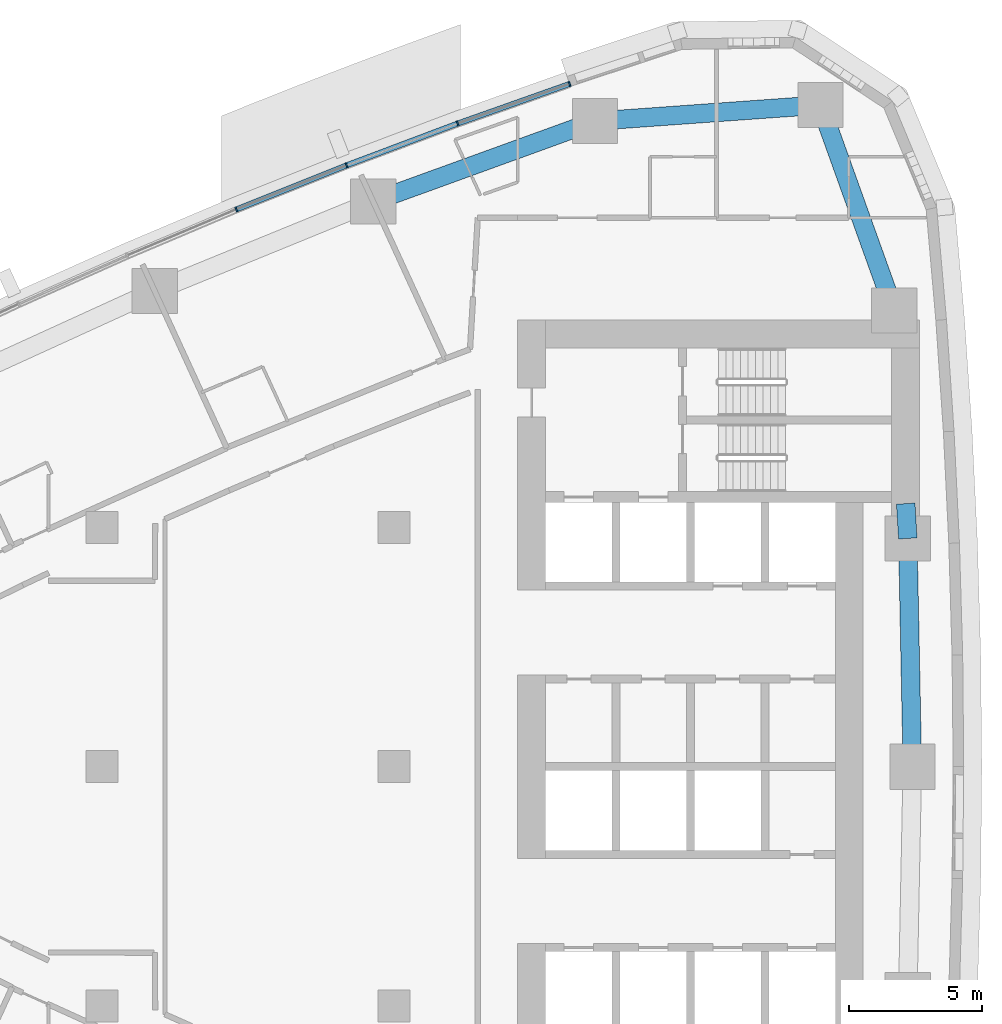
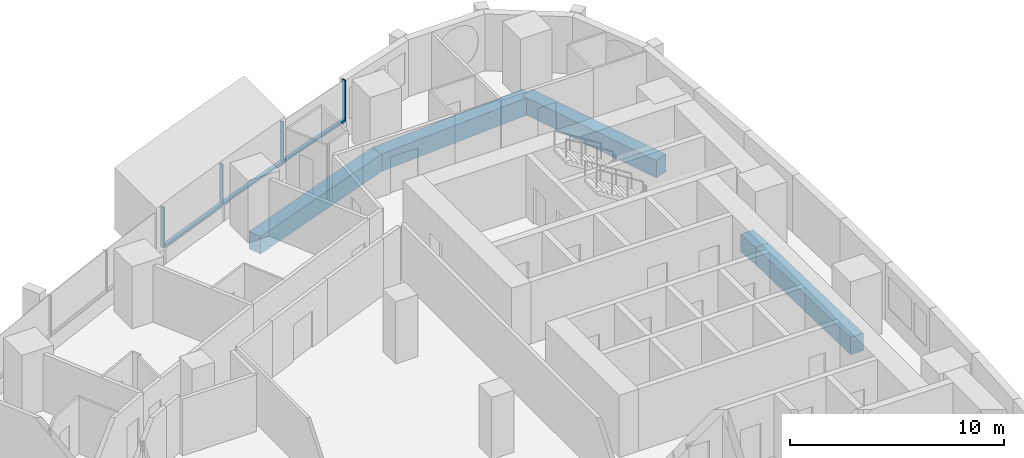
# One storey, part 6 of 17: 7 members, 5 beams, 2 elements without a shape of their own.
"""IFC4 building model written with IfcOpenShell, lengths in metres."""

from ifc_helpers import new_model, si_unit, direction, frame, origin, origin_2d, place, context, subcontext, project, spatial, rectangle, extrude, material, layer, layer_set, material_profile, profile_set, type_object, element, aggregate, save


model = new_model("IFC4")

# Units and contexts
model_context = context("Model", 3, precision=1e-05, world=origin(), true_north=direction((0.0, 1.0)))
body_context = subcontext(model_context, "Body", "Model", "MODEL_VIEW")
ifc_project = project(units=[si_unit("LENGTHUNIT", "METRE"), si_unit("AREAUNIT", "SQUARE_METRE"), si_unit("VOLUMEUNIT", "CUBIC_METRE"), si_unit("PLANEANGLEUNIT", "RADIAN"), si_unit("MASSUNIT", "GRAM", prefix="KILO")], contexts=[model_context])

# Site, building, storey
site_placement = place(None, origin())
site = spatial("IfcSite", under=ifc_project, at=site_placement, CompositionType="ELEMENT")
building_placement = place(site_placement, origin())
building = spatial("IfcBuilding", under=site, at=building_placement, Name="Ostrand Prow Hotel Tower", CompositionType="ELEMENT")
storey_placement = place(building_placement, frame((0.0, 0.0, 113.300048828125)))
storey = spatial("IfcBuildingStorey", under=building, at=storey_placement, Name="L27", CompositionType="ELEMENT", Elevation=113.300048828125)

# Beams
ifc_material_1 = material(Name="Concrete C80/95", Category="concrete")
ifc_material_profile_1 = material_profile(ifc_material_1, rectangle(XDim=0.699951171875, YDim=1.0, at=origin_2d()), Name="RC 700x1000")
ifc_profile_set_1 = profile_set([ifc_material_profile_1], Name="Concrete C80/95")
beam_type = type_object("IfcBeamType", Name="Edge beam 700x1000 C80/95", PredefinedType="SPANDREL", material=ifc_profile_set_1)
beam_1_placement = place(storey_placement, frame((64.5, 0.0, -0.800048828125), z_axis=(-0.019922705812, 0.9998015232, 0.0), x_axis=(-0.9998015232, -0.019922705812, 0.0)))
element("IfcBeam", 1, at=beam_1_placement, inside=storey, type_object=beam_type, Name="Edge beam B3-B4", PredefinedType="SPANDREL", context=body_context, shape_type="SweptSolid", body=[
    extrude(rectangle(XDim=0.699951171875, YDim=1.0, at=origin_2d()), origin(), (0.0, 0.0, 1.0), 8.59033203125),
])
beam_2_placement = place(storey_placement, frame((64.328857421875, 8.588623046875, -0.800048828125), z_axis=(-0.059658953766, 0.998218818314, 0.0), x_axis=(-0.998218818314, -0.059658953766, 0.0)))
element("IfcBeam", 2, at=beam_2_placement, inside=storey, type_object=beam_type, Name="Edge beam B4-B5", PredefinedType="SPANDREL", context=body_context, shape_type="SweptSolid", body=[
    extrude(rectangle(XDim=0.699951171875, YDim=1.0, at=origin_2d()), origin(), (0.0, 0.0, 1.0), 1.313720703125),
])
beam_3_placement = place(storey_placement, frame((63.815673828125, 17.16357421875, -0.800048828125), z_axis=(-0.337815484063, 0.941212355809, 0.0), x_axis=(-0.941212355809, -0.337815484063, 0.0)))
element("IfcBeam", 3, at=beam_3_placement, inside=storey, type_object=beam_type, Name="Edge beam B5-NE", PredefinedType="SPANDREL", context=body_context, shape_type="SweptSolid", body=[
    extrude(rectangle(XDim=0.699951171875, YDim=1.0, at=origin_2d()), origin(), (0.0, 0.0, 1.0), 8.21630859375),
])
beam_4_placement = place(storey_placement, frame((61.0400390625, 24.89697265625, -0.800048828125), z_axis=(-0.99747195063, -0.071061295414, 0.0), x_axis=(0.071061295414, -0.99747195063, 0.0)))
element("IfcBeam", 4, at=beam_4_placement, inside=storey, type_object=beam_type, Name="Edge beam NE-N1", PredefinedType="SPANDREL", context=body_context, shape_type="SweptSolid", body=[
    extrude(rectangle(XDim=0.699951171875, YDim=1.0, at=origin_2d()), origin(), (0.0, 0.0, 1.0), 8.499755859375),
])
beam_5_placement = place(storey_placement, frame((52.561767578125, 24.29296875, -0.800048828125), z_axis=(-0.940062739321, -0.341001533927, 0.0), x_axis=(0.341001533927, -0.940062739321, 0.0)))
element("IfcBeam", 5, at=beam_5_placement, inside=storey, type_object=beam_type, Name="Edge beam N1-N2", PredefinedType="SPANDREL", context=body_context, shape_type="SweptSolid", body=[
    extrude(rectangle(XDim=0.699951171875, YDim=1.0, at=origin_2d()), origin(), (0.0, 0.0, 1.0), 8.883544921875),
])

# Curtain wall, members
ifc_material_2 = material(Name="Insulated glass in bronze anodised frame", Category="glass")
ifc_layer = layer(ifc_material_2, 0.199951171875)
ifc_layer_set = layer_set([ifc_layer], Name="Insulated glass in bronze anodised frame")
curtain_wall_type = type_object("IfcCurtainWallType", Name="Strip curtain wall, fritted glass over bronze spandrel", PredefinedType="NOTDEFINED", material=ifc_layer_set)
curtain_wall_1_placement = place(storey_placement, origin())
curtain_wall_1 = element("IfcCurtainWall", 6, at=curtain_wall_1_placement, inside=storey, type_object=curtain_wall_type, Name="CW1 run CWN1", PredefinedType="NOTDEFINED")
ifc_material_3 = material(Name="Bronze anodised aluminium", Category="aluminium")
ifc_material_profile_2 = material_profile(ifc_material_3, rectangle(XDim=0.199951171875, YDim=0.06005859375, at=origin_2d()), Name="Mullion 60x200 bronze anodised aluminium")
ifc_profile_set_2 = profile_set([ifc_material_profile_2], Name="Bronze anodised aluminium")
member_type_1 = type_object("IfcMemberType", Name="Mullion 60x200 bronze anodised aluminium", PredefinedType="MULLION", material=ifc_profile_set_2)
member_1_placement = place(storey_placement, frame((51.601318359375, 25.692138671875, 0.89990234375), z_axis=(0.0, 0.0, 1.0), x_axis=(0.333495894542, -0.942751551748, 0.0)))
member_1 = element("IfcMember", 7, at=member_1_placement, type_object=member_type_1, Name="CW1 mullion 1", PredefinedType="MULLION", context=body_context, shape_type="SweptSolid", body=[
    extrude(rectangle(XDim=0.199951171875, YDim=0.06005859375, at=origin_2d()), origin(), (0.0, 0.0, 1.0), 2.35009765625),
])
member_2_placement = place(storey_placement, frame((47.390869140625, 24.202880859375, 0.89990234375), z_axis=(0.0, 0.0, 1.0), x_axis=(0.35230885193, -0.935883792387, 0.0)))
member_2 = element("IfcMember", 8, at=member_2_placement, type_object=member_type_1, Name="CW1 mullion 2", PredefinedType="MULLION", context=body_context, shape_type="SweptSolid", body=[
    extrude(rectangle(XDim=0.199951171875, YDim=0.06005859375, at=origin_2d()), origin(), (0.0, 0.0, 1.0), 2.35009765625),
])
member_3_placement = place(storey_placement, frame((43.211181640625, 22.62939453125, 0.89990234375), z_axis=(0.0, 0.0, 1.0), x_axis=(0.35230885193, -0.935883792387, 0.0)))
member_3 = element("IfcMember", 9, at=member_3_placement, type_object=member_type_1, Name="CW1 mullion 3", PredefinedType="MULLION", context=body_context, shape_type="SweptSolid", body=[
    extrude(rectangle(XDim=0.199951171875, YDim=0.06005859375, at=origin_2d()), origin(), (0.0, 0.0, 1.0), 2.35009765625),
])

# Curtain wall, member
curtain_wall_2_placement = place(storey_placement, origin())
curtain_wall_2 = element("IfcCurtainWall", 10, at=curtain_wall_2_placement, inside=storey, type_object=curtain_wall_type, Name="CW1 run CWN2", PredefinedType="NOTDEFINED")
member_4_placement = place(storey_placement, frame((39.06396484375, 20.97265625, 0.89990234375), z_axis=(0.0, 0.0, 1.0), x_axis=(0.389506566255, -0.921023688536, 0.0)))
member_4 = element("IfcMember", 11, at=member_4_placement, type_object=member_type_1, Name="CW1 mullion 2", PredefinedType="MULLION", context=body_context, shape_type="SweptSolid", body=[
    extrude(rectangle(XDim=0.199951171875, YDim=0.06005859375, at=origin_2d()), origin(), (0.0, 0.0, 1.0), 2.35009765625),
])

# Member
ifc_material_4 = material(Name="Bronze anodised aluminium", Category="aluminium")
ifc_material_profile_3 = material_profile(ifc_material_4, rectangle(XDim=0.199951171875, YDim=0.1201171875, at=origin_2d()), Name="Transom 120x200 bronze anodised aluminium")
ifc_profile_set_3 = profile_set([ifc_material_profile_3], Name="Bronze anodised aluminium")
member_type_2 = type_object("IfcMemberType", Name="Transom 120x200 bronze anodised aluminium", PredefinedType="USERDEFINED", material=ifc_profile_set_3)
member_5_placement = place(storey_placement, frame((51.572998046875, 25.68212890625, 0.9599609375), z_axis=(-0.942763014139, -0.333463490013, 0.0), x_axis=(0.333463490013, -0.942763014139, 0.0)))
member_5 = element("IfcMember", 12, at=member_5_placement, type_object=member_type_2, Name="CW1 transom 1.1", ObjectType="TRANSOM", PredefinedType="USERDEFINED", context=body_context, shape_type="SweptSolid", body=[
    extrude(rectangle(XDim=0.199951171875, YDim=0.1201171875, at=origin_2d()), origin(), (0.0, 0.0, 1.0), 4.406005859375),
])

member_6_placement = place(storey_placement, frame((47.36279296875, 24.1923828125, 0.9599609375), z_axis=(-0.935868398429, -0.352349742191, 0.0), x_axis=(0.352349742191, -0.935868398429, 0.0)))
member_6 = element("IfcMember", 13, at=member_6_placement, type_object=member_type_2, Name="CW1 transom 2.1", ObjectType="TRANSOM", PredefinedType="USERDEFINED", context=body_context, shape_type="SweptSolid", body=[
    extrude(rectangle(XDim=0.199951171875, YDim=0.1201171875, at=origin_2d()), origin(), (0.0, 0.0, 1.0), 4.406005859375),
])

aggregate(curtain_wall_1, [member_1, member_2, member_3, member_5, member_6])

member_7_placement = place(storey_placement, frame((43.183349609375, 22.618408203125, 0.9599609375), z_axis=(-0.928621833209, -0.371027614724, 0.0), x_axis=(0.371027614724, -0.928621833209, 0.0)))
member_7 = element("IfcMember", 14, at=member_7_placement, type_object=member_type_2, Name="CW1 transom 1.1", ObjectType="TRANSOM", PredefinedType="USERDEFINED", context=body_context, shape_type="SweptSolid", body=[
    extrude(rectangle(XDim=0.199951171875, YDim=0.1201171875, at=origin_2d()), origin(), (0.0, 0.0, 1.0), 4.406005859375),
])

aggregate(curtain_wall_2, [member_4, member_7])

save(model, "model.ifc")
